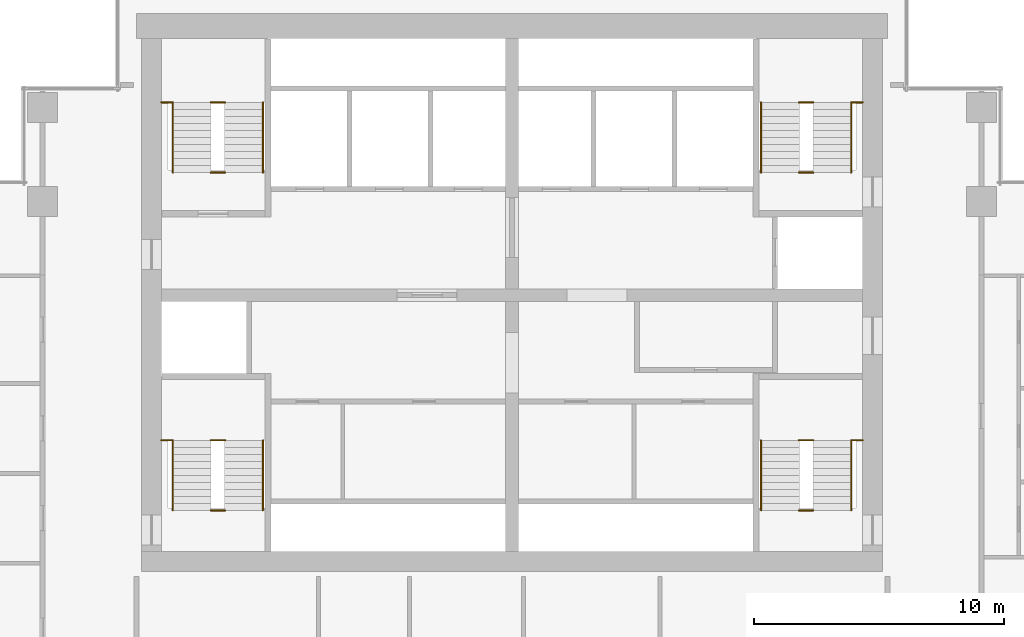
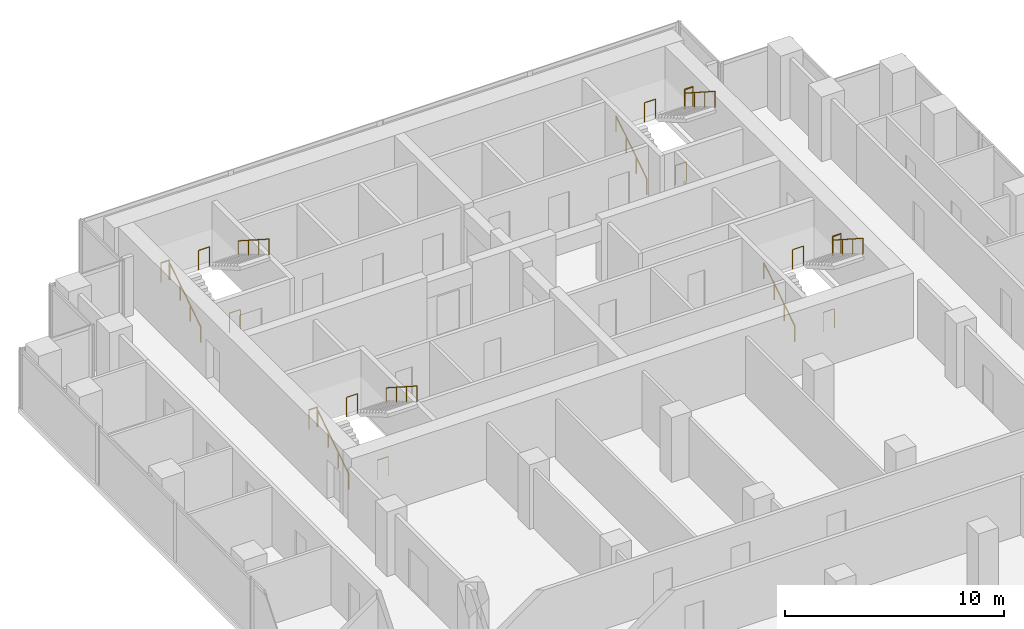
# One storey, part 10 of 10: 20 railings.
"""IFC4 building model written with IfcOpenShell, lengths in metres."""

from ifc_helpers import new_model, si_unit, direction, frame, origin, origin_2d, place, context, subcontext, project, spatial, circle, extrude, material, type_object, element, save


model = new_model("IFC4")

# Units and contexts
model_context = context("Model", 3, precision=1e-05, world=origin(), true_north=direction((0.0, 1.0)))
body_context = subcontext(model_context, "Body", "Model", "MODEL_VIEW")
ifc_project = project(units=[si_unit("LENGTHUNIT", "METRE"), si_unit("AREAUNIT", "SQUARE_METRE"), si_unit("VOLUMEUNIT", "CUBIC_METRE"), si_unit("PLANEANGLEUNIT", "RADIAN"), si_unit("MASSUNIT", "GRAM", prefix="KILO")], contexts=[model_context])

# Site, building, storey
site_placement = place(None, origin())
site = spatial("IfcSite", under=ifc_project, at=site_placement, CompositionType="ELEMENT")
building_placement = place(site_placement, origin())
building = spatial("IfcBuilding", under=site, at=building_placement, Name="Pilkhan Gate Tower", CompositionType="ELEMENT")
storey_placement = place(building_placement, frame((0.0, 0.0, 176.5)))
storey = spatial("IfcBuildingStorey", under=building, at=storey_placement, Name="L45", CompositionType="ELEMENT", Elevation=176.5)

# Railings
ifc_material_1 = material(Name="Black powder-coated steel tube", Category="steel")
railing_type_1 = type_object("IfcRailingType", Name="Stair handrail HR1", PredefinedType="HANDRAIL", material=ifc_material_1)
railing_1_placement = place(storey_placement, frame((84.949951171875, 73.89990234375, 0.0)))
element("IfcRailing", 1, at=railing_1_placement, inside=storey, type_object=railing_type_1, Name="Stair ST1 handrail L45", PredefinedType="HANDRAIL", context=body_context, shape_type="SweptSolid", body=[
    extrude(circle(Radius=0.02392578125, at=origin_2d()), frame((0.0, 0.0, 0.8759765625), z_axis=(0.0, 0.841176092368, 0.540761298198), x_axis=(-1.0, 0.0, 0.0)), (0.0, 0.0, 1.0), 3.32861328125),
    extrude(circle(Radius=0.02099609375, at=origin_2d()), origin(), (0.0, 0.0, 1.0), 0.851806640625),
    extrude(circle(Radius=0.02099609375, at=origin_2d()), frame((0.0, 0.933349609375, 0.60009765625)), (0.0, 0.0, 1.0), 0.851806640625),
    extrude(circle(Radius=0.02099609375, at=origin_2d()), frame((0.0, 1.86669921875, 1.199951171875)), (0.0, 0.0, 1.0), 0.851806640625),
    extrude(circle(Radius=0.02099609375, at=origin_2d()), frame((0.0, 2.800048828125, 1.800048828125)), (0.0, 0.0, 1.0), 0.851806640625),
])
railing_2_placement = place(storey_placement, frame((88.550048828125, 76.699951171875, 1.800048828125)))
element("IfcRailing", 2, at=railing_2_placement, inside=storey, type_object=railing_type_1, Name="Stair ST1 handrail L45", PredefinedType="HANDRAIL", context=body_context, shape_type="SweptSolid", body=[
    extrude(circle(Radius=0.02392578125, at=origin_2d()), frame((0.0, 0.0, 0.8759765625), z_axis=(0.0, -0.841176092368, 0.540761298198), x_axis=(1.0, 0.0, 0.0)), (0.0, 0.0, 1.0), 3.32861328125),
    extrude(circle(Radius=0.02099609375, at=origin_2d()), origin(), (0.0, 0.0, 1.0), 0.851806640625),
    extrude(circle(Radius=0.02099609375, at=origin_2d()), frame((0.0, -0.933349609375, 0.60009765625)), (0.0, 0.0, 1.0), 0.851806640625),
    extrude(circle(Radius=0.02099609375, at=origin_2d()), frame((0.0, -1.86669921875, 1.199951171875)), (0.0, 0.0, 1.0), 0.851806640625),
    extrude(circle(Radius=0.02099609375, at=origin_2d()), frame((0.0, -2.800048828125, 1.800048828125)), (0.0, 0.0, 1.0), 0.851806640625),
])
railing_3_placement = place(storey_placement, frame((61.449951171875, 73.89990234375, 0.0)))
element("IfcRailing", 3, at=railing_3_placement, inside=storey, type_object=railing_type_1, Name="Stair ST2 handrail L45", PredefinedType="HANDRAIL", context=body_context, shape_type="SweptSolid", body=[
    extrude(circle(Radius=0.02392578125, at=origin_2d()), frame((0.0, 0.0, 0.8759765625), z_axis=(0.0, 0.841176092368, 0.540761298198), x_axis=(-1.0, 0.0, 0.0)), (0.0, 0.0, 1.0), 3.32861328125),
    extrude(circle(Radius=0.02099609375, at=origin_2d()), origin(), (0.0, 0.0, 1.0), 0.851806640625),
    extrude(circle(Radius=0.02099609375, at=origin_2d()), frame((0.0, 0.933349609375, 0.60009765625)), (0.0, 0.0, 1.0), 0.851806640625),
    extrude(circle(Radius=0.02099609375, at=origin_2d()), frame((0.0, 1.86669921875, 1.199951171875)), (0.0, 0.0, 1.0), 0.851806640625),
    extrude(circle(Radius=0.02099609375, at=origin_2d()), frame((0.0, 2.800048828125, 1.800048828125)), (0.0, 0.0, 1.0), 0.851806640625),
])
railing_4_placement = place(storey_placement, frame((65.050048828125, 76.699951171875, 1.800048828125)))
element("IfcRailing", 4, at=railing_4_placement, inside=storey, type_object=railing_type_1, Name="Stair ST2 handrail L45", PredefinedType="HANDRAIL", context=body_context, shape_type="SweptSolid", body=[
    extrude(circle(Radius=0.02392578125, at=origin_2d()), frame((0.0, 0.0, 0.8759765625), z_axis=(0.0, -0.841176092368, 0.540761298198), x_axis=(1.0, 0.0, 0.0)), (0.0, 0.0, 1.0), 3.32861328125),
    extrude(circle(Radius=0.02099609375, at=origin_2d()), origin(), (0.0, 0.0, 1.0), 0.851806640625),
    extrude(circle(Radius=0.02099609375, at=origin_2d()), frame((0.0, -0.933349609375, 0.60009765625)), (0.0, 0.0, 1.0), 0.851806640625),
    extrude(circle(Radius=0.02099609375, at=origin_2d()), frame((0.0, -1.86669921875, 1.199951171875)), (0.0, 0.0, 1.0), 0.851806640625),
    extrude(circle(Radius=0.02099609375, at=origin_2d()), frame((0.0, -2.800048828125, 1.800048828125)), (0.0, 0.0, 1.0), 0.851806640625),
])
railing_5_placement = place(storey_placement, frame((61.449951171875, 87.39990234375, 0.0)))
element("IfcRailing", 5, at=railing_5_placement, inside=storey, type_object=railing_type_1, Name="Stair ST3 handrail L45", PredefinedType="HANDRAIL", context=body_context, shape_type="SweptSolid", body=[
    extrude(circle(Radius=0.02392578125, at=origin_2d()), frame((0.0, 0.0, 0.8759765625), z_axis=(0.0, 0.841176092368, 0.540761298198), x_axis=(-1.0, 0.0, 0.0)), (0.0, 0.0, 1.0), 3.32861328125),
    extrude(circle(Radius=0.02099609375, at=origin_2d()), origin(), (0.0, 0.0, 1.0), 0.851806640625),
    extrude(circle(Radius=0.02099609375, at=origin_2d()), frame((0.0, 0.933349609375, 0.60009765625)), (0.0, 0.0, 1.0), 0.851806640625),
    extrude(circle(Radius=0.02099609375, at=origin_2d()), frame((0.0, 1.86669921875, 1.199951171875)), (0.0, 0.0, 1.0), 0.851806640625),
    extrude(circle(Radius=0.02099609375, at=origin_2d()), frame((0.0, 2.800048828125, 1.800048828125)), (0.0, 0.0, 1.0), 0.851806640625),
])
railing_6_placement = place(storey_placement, frame((65.050048828125, 90.199951171875, 1.800048828125)))
element("IfcRailing", 6, at=railing_6_placement, inside=storey, type_object=railing_type_1, Name="Stair ST3 handrail L45", PredefinedType="HANDRAIL", context=body_context, shape_type="SweptSolid", body=[
    extrude(circle(Radius=0.02392578125, at=origin_2d()), frame((0.0, 0.0, 0.8759765625), z_axis=(0.0, -0.841176092368, 0.540761298198), x_axis=(1.0, 0.0, 0.0)), (0.0, 0.0, 1.0), 3.32861328125),
    extrude(circle(Radius=0.02099609375, at=origin_2d()), origin(), (0.0, 0.0, 1.0), 0.851806640625),
    extrude(circle(Radius=0.02099609375, at=origin_2d()), frame((0.0, -0.933349609375, 0.60009765625)), (0.0, 0.0, 1.0), 0.851806640625),
    extrude(circle(Radius=0.02099609375, at=origin_2d()), frame((0.0, -1.86669921875, 1.199951171875)), (0.0, 0.0, 1.0), 0.851806640625),
    extrude(circle(Radius=0.02099609375, at=origin_2d()), frame((0.0, -2.800048828125, 1.800048828125)), (0.0, 0.0, 1.0), 0.851806640625),
])
railing_7_placement = place(storey_placement, frame((84.949951171875, 87.39990234375, 0.0)))
element("IfcRailing", 7, at=railing_7_placement, inside=storey, type_object=railing_type_1, Name="Stair ST4 handrail L45", PredefinedType="HANDRAIL", context=body_context, shape_type="SweptSolid", body=[
    extrude(circle(Radius=0.02392578125, at=origin_2d()), frame((0.0, 0.0, 0.8759765625), z_axis=(0.0, 0.841176092368, 0.540761298198), x_axis=(-1.0, 0.0, 0.0)), (0.0, 0.0, 1.0), 3.32861328125),
    extrude(circle(Radius=0.02099609375, at=origin_2d()), origin(), (0.0, 0.0, 1.0), 0.851806640625),
    extrude(circle(Radius=0.02099609375, at=origin_2d()), frame((0.0, 0.933349609375, 0.60009765625)), (0.0, 0.0, 1.0), 0.851806640625),
    extrude(circle(Radius=0.02099609375, at=origin_2d()), frame((0.0, 1.86669921875, 1.199951171875)), (0.0, 0.0, 1.0), 0.851806640625),
    extrude(circle(Radius=0.02099609375, at=origin_2d()), frame((0.0, 2.800048828125, 1.800048828125)), (0.0, 0.0, 1.0), 0.851806640625),
])
railing_8_placement = place(storey_placement, frame((88.550048828125, 90.199951171875, 1.800048828125)))
element("IfcRailing", 8, at=railing_8_placement, inside=storey, type_object=railing_type_1, Name="Stair ST4 handrail L45", PredefinedType="HANDRAIL", context=body_context, shape_type="SweptSolid", body=[
    extrude(circle(Radius=0.02392578125, at=origin_2d()), frame((0.0, 0.0, 0.8759765625), z_axis=(0.0, -0.841176092368, 0.540761298198), x_axis=(1.0, 0.0, 0.0)), (0.0, 0.0, 1.0), 3.32861328125),
    extrude(circle(Radius=0.02099609375, at=origin_2d()), origin(), (0.0, 0.0, 1.0), 0.851806640625),
    extrude(circle(Radius=0.02099609375, at=origin_2d()), frame((0.0, -0.933349609375, 0.60009765625)), (0.0, 0.0, 1.0), 0.851806640625),
    extrude(circle(Radius=0.02099609375, at=origin_2d()), frame((0.0, -1.86669921875, 1.199951171875)), (0.0, 0.0, 1.0), 0.851806640625),
    extrude(circle(Radius=0.02099609375, at=origin_2d()), frame((0.0, -2.800048828125, 1.800048828125)), (0.0, 0.0, 1.0), 0.851806640625),
])
ifc_material_2 = material(Name="Black powder-coated steel balusters", Category="steel")
railing_type_2 = type_object("IfcRailingType", Name="Stair well guard G3", PredefinedType="GUARDRAIL", material=ifc_material_2)
railing_9_placement = place(storey_placement, frame((88.580078125, 76.699951171875, 1.800048828125)))
element("IfcRailing", 9, at=railing_9_placement, inside=storey, type_object=railing_type_2, Name="Stair ST1 well guard L45", PredefinedType="GUARDRAIL", context=body_context, shape_type="SweptSolid", body=[
    extrude(circle(Radius=0.02392578125, at=origin_2d()), frame((0.0, 0.0, 1.076171875), z_axis=(1.0, 0.0, 0.0), x_axis=(0.0, 1.0, 0.0)), (0.0, 0.0, 1.0), 0.43994140625),
    extrude(circle(Radius=0.02099609375, at=origin_2d()), origin(), (0.0, 0.0, 1.0), 1.052001953125),
    extrude(circle(Radius=0.02099609375, at=origin_2d()), frame((0.43994140625, 0.0, 0.0)), (0.0, 0.0, 1.0), 1.052001953125),
])
for number, where, name in (
    (10, (86.4599609375, 73.89990234375, 0.0), "Stair ST1 well guard L45"),
    (11, (86.4599609375, 76.699951171875, 1.800048828125), "Stair ST1 well guard L45"),
):
    element("IfcRailing", number, at=place(storey_placement, frame(where)), inside=storey, type_object=railing_type_2, Name=name, PredefinedType="GUARDRAIL", context=body_context, shape_type="SweptSolid", body=[
        extrude(circle(Radius=0.02392578125, at=origin_2d()), frame((0.0, 0.0, 1.076171875), z_axis=(1.0, 0.0, 0.0), x_axis=(0.0, 1.0, 0.0)), (0.0, 0.0, 1.0), 0.580078125),
        extrude(circle(Radius=0.02099609375, at=origin_2d()), origin(), (0.0, 0.0, 1.0), 1.052001953125),
        extrude(circle(Radius=0.02099609375, at=origin_2d()), frame((0.580078125, 0.0, 0.0)), (0.0, 0.0, 1.0), 1.052001953125),
    ])
railing_10_placement = place(storey_placement, frame((60.97998046875, 76.699951171875, 1.800048828125)))
element("IfcRailing", 12, at=railing_10_placement, inside=storey, type_object=railing_type_2, Name="Stair ST2 well guard L45", PredefinedType="GUARDRAIL", context=body_context, shape_type="SweptSolid", body=[
    extrude(circle(Radius=0.02392578125, at=origin_2d()), frame((0.0, 0.0, 1.076171875), z_axis=(1.0, 0.0, 0.0), x_axis=(0.0, 1.0, 0.0)), (0.0, 0.0, 1.0), 0.43994140625),
    extrude(circle(Radius=0.02099609375, at=origin_2d()), origin(), (0.0, 0.0, 1.0), 1.052001953125),
    extrude(circle(Radius=0.02099609375, at=origin_2d()), frame((0.43994140625, 0.0, 0.0)), (0.0, 0.0, 1.0), 1.052001953125),
])
for number, where, name in (
    (13, (62.9599609375, 73.89990234375, 0.0), "Stair ST2 well guard L45"),
    (14, (62.9599609375, 76.699951171875, 1.800048828125), "Stair ST2 well guard L45"),
):
    element("IfcRailing", number, at=place(storey_placement, frame(where)), inside=storey, type_object=railing_type_2, Name=name, PredefinedType="GUARDRAIL", context=body_context, shape_type="SweptSolid", body=[
        extrude(circle(Radius=0.02392578125, at=origin_2d()), frame((0.0, 0.0, 1.076171875), z_axis=(1.0, 0.0, 0.0), x_axis=(0.0, 1.0, 0.0)), (0.0, 0.0, 1.0), 0.580078125),
        extrude(circle(Radius=0.02099609375, at=origin_2d()), origin(), (0.0, 0.0, 1.0), 1.052001953125),
        extrude(circle(Radius=0.02099609375, at=origin_2d()), frame((0.580078125, 0.0, 0.0)), (0.0, 0.0, 1.0), 1.052001953125),
    ])
railing_11_placement = place(storey_placement, frame((60.97998046875, 90.199951171875, 1.800048828125)))
element("IfcRailing", 15, at=railing_11_placement, inside=storey, type_object=railing_type_2, Name="Stair ST3 well guard L45", PredefinedType="GUARDRAIL", context=body_context, shape_type="SweptSolid", body=[
    extrude(circle(Radius=0.02392578125, at=origin_2d()), frame((0.0, 0.0, 1.076171875), z_axis=(1.0, 0.0, 0.0), x_axis=(0.0, 1.0, 0.0)), (0.0, 0.0, 1.0), 0.43994140625),
    extrude(circle(Radius=0.02099609375, at=origin_2d()), origin(), (0.0, 0.0, 1.0), 1.052001953125),
    extrude(circle(Radius=0.02099609375, at=origin_2d()), frame((0.43994140625, 0.0, 0.0)), (0.0, 0.0, 1.0), 1.052001953125),
])
for number, where, name in (
    (16, (62.9599609375, 87.39990234375, 0.0), "Stair ST3 well guard L45"),
    (17, (62.9599609375, 90.199951171875, 1.800048828125), "Stair ST3 well guard L45"),
):
    element("IfcRailing", number, at=place(storey_placement, frame(where)), inside=storey, type_object=railing_type_2, Name=name, PredefinedType="GUARDRAIL", context=body_context, shape_type="SweptSolid", body=[
        extrude(circle(Radius=0.02392578125, at=origin_2d()), frame((0.0, 0.0, 1.076171875), z_axis=(1.0, 0.0, 0.0), x_axis=(0.0, 1.0, 0.0)), (0.0, 0.0, 1.0), 0.580078125),
        extrude(circle(Radius=0.02099609375, at=origin_2d()), origin(), (0.0, 0.0, 1.0), 1.052001953125),
        extrude(circle(Radius=0.02099609375, at=origin_2d()), frame((0.580078125, 0.0, 0.0)), (0.0, 0.0, 1.0), 1.052001953125),
    ])
railing_12_placement = place(storey_placement, frame((88.580078125, 90.199951171875, 1.800048828125)))
element("IfcRailing", 18, at=railing_12_placement, inside=storey, type_object=railing_type_2, Name="Stair ST4 well guard L45", PredefinedType="GUARDRAIL", context=body_context, shape_type="SweptSolid", body=[
    extrude(circle(Radius=0.02392578125, at=origin_2d()), frame((0.0, 0.0, 1.076171875), z_axis=(1.0, 0.0, 0.0), x_axis=(0.0, 1.0, 0.0)), (0.0, 0.0, 1.0), 0.43994140625),
    extrude(circle(Radius=0.02099609375, at=origin_2d()), origin(), (0.0, 0.0, 1.0), 1.052001953125),
    extrude(circle(Radius=0.02099609375, at=origin_2d()), frame((0.43994140625, 0.0, 0.0)), (0.0, 0.0, 1.0), 1.052001953125),
])
for number, where, name in (
    (19, (86.4599609375, 87.39990234375, 0.0), "Stair ST4 well guard L45"),
    (20, (86.4599609375, 90.199951171875, 1.800048828125), "Stair ST4 well guard L45"),
):
    element("IfcRailing", number, at=place(storey_placement, frame(where)), inside=storey, type_object=railing_type_2, Name=name, PredefinedType="GUARDRAIL", context=body_context, shape_type="SweptSolid", body=[
        extrude(circle(Radius=0.02392578125, at=origin_2d()), frame((0.0, 0.0, 1.076171875), z_axis=(1.0, 0.0, 0.0), x_axis=(0.0, 1.0, 0.0)), (0.0, 0.0, 1.0), 0.580078125),
        extrude(circle(Radius=0.02099609375, at=origin_2d()), origin(), (0.0, 0.0, 1.0), 1.052001953125),
        extrude(circle(Radius=0.02099609375, at=origin_2d()), frame((0.580078125, 0.0, 0.0)), (0.0, 0.0, 1.0), 1.052001953125),
    ])

save(model, "model.ifc")
